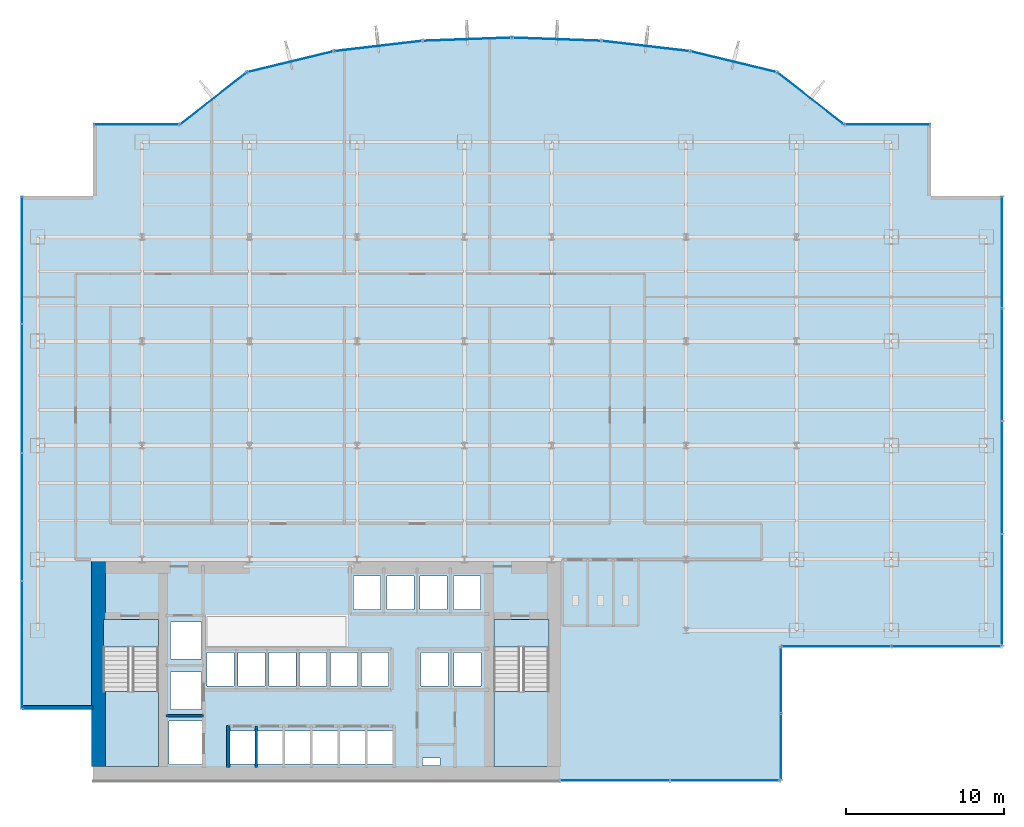
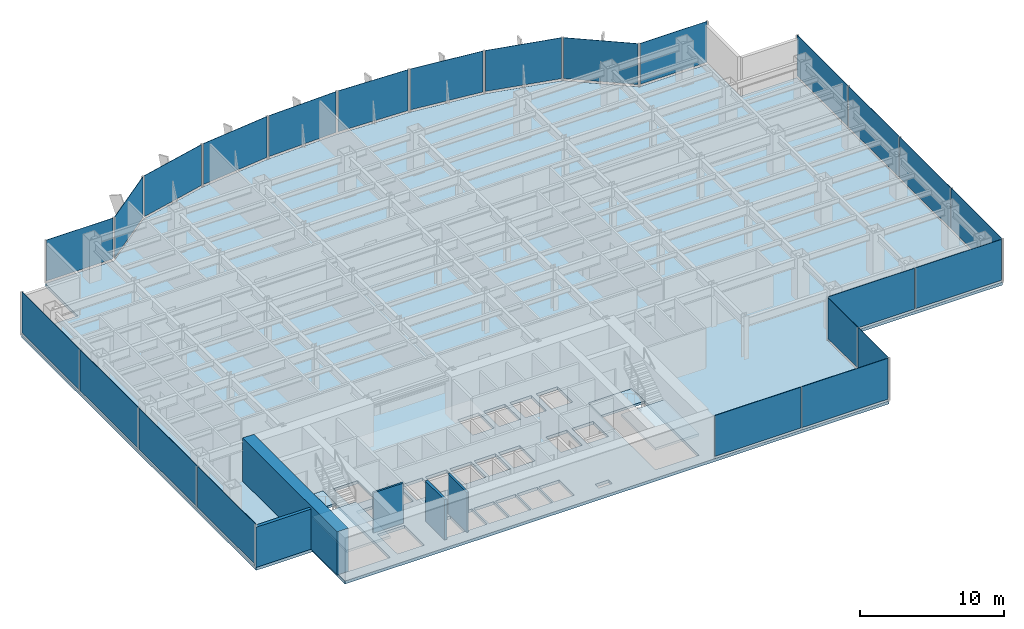
# One storey, part 16 of 22: 24 plates, 5 slabs, 5 walls, 17 elements without a shape of their own.
"""IFC4 building model written with IfcOpenShell, lengths in metres."""

from ifc_helpers import new_model, si_unit, derived_unit, direction, frame, frame_2d, origin, origin_2d, place, context, subcontext, project, spatial, polyline, rectangle, outline, extrude, source, transform, mapped, material, layer, layer_set, type_object, element, aggregate, save


model = new_model("IFC4")

# Units and contexts
model_context = context("Model", 3, precision=1e-05, world=origin(), true_north=direction((0.0, 1.0)))
body_context = subcontext(model_context, "Body", "Model", "MODEL_VIEW")
ifc_project = project(units=[si_unit("LENGTHUNIT", "METRE"), si_unit("AREAUNIT", "SQUARE_METRE"), si_unit("VOLUMEUNIT", "CUBIC_METRE"), si_unit("PLANEANGLEUNIT", "RADIAN"), si_unit("MASSUNIT", "GRAM", prefix="KILO"), derived_unit("THERMALTRANSMITTANCEUNIT", [(si_unit("POWERUNIT", "WATT"), 1), (si_unit("LENGTHUNIT", "METRE"), -2), (si_unit("THERMODYNAMICTEMPERATUREUNIT", "KELVIN"), -1)])], contexts=[model_context])

# Site, building, storey
site_placement = place(None, origin())
site = spatial("IfcSite", under=ifc_project, at=site_placement, CompositionType="ELEMENT")
building_placement = place(site_placement, origin())
building = spatial("IfcBuilding", under=site, at=building_placement, Name="Skarnbrae Concourse Arena and Tower", CompositionType="ELEMENT")
storey_placement = place(building_placement, frame((0.0, 0.0, 65.35009765625)))
storey = spatial("IfcBuildingStorey", under=building, at=storey_placement, Name="L15", CompositionType="ELEMENT", Elevation=65.35009765625)

# Stair, slab
ifc_material_1 = material(Name="Concrete 40 MPa (C40/50)", Category="concrete")
stair_type = type_object("IfcStairType", Name="STAIR-DOGLEG-1650", PredefinedType="HALF_TURN_STAIR", material=ifc_material_1)
stair_1_placement = place(storey_placement, origin())
stair_1 = element("IfcStair", 1, at=stair_1_placement, inside=storey, type_object=stair_type, Name="L15 Protected Exit Stair ST-1", PredefinedType="HALF_TURN_STAIR")
ifc_layer_1 = layer(ifc_material_1, 0.199951171875)
ifc_layer_set_1 = layer_set([ifc_layer_1], Name="Concrete 40 MPa (C40/50)")
slab_type_1 = type_object("IfcSlabType", Name="SLAB-LANDING-200", PredefinedType="LANDING", material=ifc_layer_set_1)
slab_1_placement = place(storey_placement, frame((0.0, 0.0, 1.625)))
slab_1 = element("IfcSlab", 2, at=slab_1_placement, type_object=slab_type_1, Name="ST-1 landing 1", PredefinedType="LANDING", context=body_context, shape_type="SweptSolid", body=[
    extrude(outline(polyline([(5.14990234375, 5.64990234375), (5.14990234375, 0.89990234375), (8.64990234375, 0.89990234375), (8.64990234375, 5.64990234375), (5.14990234375, 5.64990234375)])), origin(), (0.0, 0.0, 1.0), 0.199951171875),
])
aggregate(stair_1, [slab_1])

stair_2_placement = place(storey_placement, origin())
stair_2 = element("IfcStair", 3, at=stair_2_placement, inside=storey, type_object=stair_type, Name="L15 Protected Exit Stair ST-2", PredefinedType="HALF_TURN_STAIR")
slab_2_placement = place(storey_placement, frame((0.0, 0.0, 1.625)))
slab_2 = element("IfcSlab", 4, at=slab_2_placement, type_object=slab_type_1, Name="ST-2 landing 1", PredefinedType="LANDING", context=body_context, shape_type="SweptSolid", body=[
    extrude(outline(polyline([(29.85009765625, 5.64990234375), (29.85009765625, 0.89990234375), (33.35009765625, 0.89990234375), (33.35009765625, 5.64990234375), (29.85009765625, 5.64990234375)])), origin(), (0.0, 0.0, 1.0), 0.199951171875),
])
aggregate(stair_2, [slab_2])

# Slabs
slab_3_placement = place(storey_placement, frame((0.0, 0.0, -0.2001953125)))
element("IfcSlab", 5, at=slab_3_placement, inside=storey, type_object=slab_type_1, Name="L15 Core stair ST1 floor landing", PredefinedType="LANDING", context=body_context, shape_type="SweptSolid", body=[
    extrude(outline(polyline([(5.14990234375, 10.199951171875), (5.14990234375, 8.449951171875), (8.64990234375, 8.449951171875), (8.64990234375, 10.199951171875), (5.14990234375, 10.199951171875)])), origin(), (0.0, 0.0, 1.0), 0.2001953125),
])
slab_4_placement = place(storey_placement, frame((0.0, 0.0, -0.2001953125)))
element("IfcSlab", 6, at=slab_4_placement, inside=storey, type_object=slab_type_1, Name="L15 Core stair ST2 floor landing", PredefinedType="LANDING", context=body_context, shape_type="SweptSolid", body=[
    extrude(outline(polyline([(29.85009765625, 10.199951171875), (29.85009765625, 8.449951171875), (33.35009765625, 8.449951171875), (33.35009765625, 10.199951171875), (29.85009765625, 10.199951171875)])), origin(), (0.0, 0.0, 1.0), 0.2001953125),
])
ifc_layer_2 = layer(ifc_material_1, 0.25)
ifc_layer_set_2 = layer_set([ifc_layer_2], Name="Concrete 40 MPa (C40/50)")
slab_type_2 = type_object("IfcSlabType", Name="SLAB-TOWER-250", PredefinedType="FLOOR", material=ifc_layer_set_2)
slab_5_placement = place(storey_placement, frame((0.0, 0.0, -0.25)))
element("IfcSlab", 7, at=slab_5_placement, inside=storey, type_object=slab_type_2, Name="L15 Structural floor slab", PredefinedType="FLOOR", context=body_context, shape_type="SweptSolid", body=[
    extrude(outline(polyline([(4.5, 0.0), (48.0, 0.0), (48.0, 8.5), (62.0, 8.5), (62.0, 37.0), (57.5, 37.0), (57.5, 41.5), (52.0, 41.5), (47.766357421875, 44.811767578125), (42.2724609375, 46.140380859375), (36.65380859375, 46.796875), (31.0, 47.0), (25.34619140625, 46.796875), (19.7275390625, 46.140380859375), (14.233642578125, 44.811767578125), (10.0, 41.5), (4.5, 41.5), (4.5, 37.0), (0.0, 37.0), (0.0, 4.5), (4.5, 4.5), (4.5, 0.0)]), holes=[polyline([(13.14501953125, 3.155029296875), (14.7548828125, 3.155029296875), (14.7548828125, 1.044921875), (13.14501953125, 1.044921875), (13.14501953125, 3.155029296875)]), polyline([(16.4951171875, 3.155029296875), (16.4951171875, 1.044921875), (14.885009765625, 1.044921875), (14.885009765625, 3.155029296875), (16.4951171875, 3.155029296875)]), polyline([(18.235107421875, 3.155029296875), (18.235107421875, 1.044921875), (16.625, 1.044921875), (16.625, 3.155029296875), (18.235107421875, 3.155029296875)]), polyline([(18.364990234375, 3.155029296875), (19.97509765625, 3.155029296875), (19.97509765625, 1.044921875), (18.364990234375, 1.044921875), (18.364990234375, 3.155029296875)]), polyline([(11.455078125, 3.780029296875), (11.455078125, 1.02001953125), (9.294921875, 1.02001953125), (9.294921875, 3.780029296875), (11.455078125, 3.780029296875)]), polyline([(8.64990234375, 0.89990234375), (5.14990234375, 0.89990234375), (5.14990234375, 10.199951171875), (8.64990234375, 10.199951171875), (8.64990234375, 0.89990234375)]), polyline([(9.39501953125, 6.8798828125), (11.35498046875, 6.8798828125), (11.35498046875, 4.52001953125), (9.39501953125, 4.52001953125), (9.39501953125, 6.8798828125)]), polyline([(13.429931640625, 8.10498046875), (13.429931640625, 5.9951171875), (11.719970703125, 5.9951171875), (11.719970703125, 8.10498046875), (13.429931640625, 8.10498046875)]), polyline([(15.3798828125, 8.10498046875), (15.3798828125, 5.9951171875), (13.669921875, 5.9951171875), (13.669921875, 8.10498046875), (15.3798828125, 8.10498046875)]), polyline([(15.6201171875, 8.10498046875), (17.330078125, 8.10498046875), (17.330078125, 5.9951171875), (15.6201171875, 5.9951171875), (15.6201171875, 8.10498046875)]), polyline([(19.280029296875, 8.10498046875), (19.280029296875, 5.9951171875), (17.570068359375, 5.9951171875), (17.570068359375, 8.10498046875), (19.280029296875, 8.10498046875)]), polyline([(11.35498046875, 10.054931640625), (11.35498046875, 7.695068359375), (9.39501953125, 7.695068359375), (9.39501953125, 10.054931640625), (11.35498046875, 10.054931640625)]), polyline([(25.35009765625, 1.449951171875), (26.43994140625, 1.449951171875), (26.43994140625, 0.949951171875), (25.35009765625, 0.949951171875), (25.35009765625, 1.449951171875)]), polyline([(21.715087890625, 3.155029296875), (21.715087890625, 1.044921875), (20.10498046875, 1.044921875), (20.10498046875, 3.155029296875), (21.715087890625, 3.155029296875)]), polyline([(23.455078125, 3.155029296875), (23.455078125, 1.044921875), (21.844970703125, 1.044921875), (21.844970703125, 3.155029296875), (23.455078125, 3.155029296875)]), polyline([(33.35009765625, 10.199951171875), (33.35009765625, 0.89990234375), (29.85009765625, 0.89990234375), (29.85009765625, 10.199951171875), (33.35009765625, 10.199951171875)]), polyline([(21.22998046875, 8.10498046875), (21.22998046875, 5.9951171875), (19.52001953125, 5.9951171875), (19.52001953125, 8.10498046875), (21.22998046875, 8.10498046875)]), polyline([(23.179931640625, 8.10498046875), (23.179931640625, 5.9951171875), (21.469970703125, 5.9951171875), (21.469970703125, 8.10498046875), (23.179931640625, 8.10498046875)]), polyline([(25.235107421875, 8.10498046875), (26.945068359375, 8.10498046875), (26.945068359375, 5.9951171875), (25.235107421875, 5.9951171875), (25.235107421875, 8.10498046875)]), polyline([(29.044921875, 8.10498046875), (29.044921875, 5.9951171875), (27.3349609375, 5.9951171875), (27.3349609375, 8.10498046875), (29.044921875, 8.10498046875)]), polyline([(22.695068359375, 12.955078125), (22.695068359375, 10.844970703125), (20.985107421875, 10.844970703125), (20.985107421875, 12.955078125), (22.695068359375, 12.955078125)]), polyline([(23.0849609375, 12.955078125), (24.794921875, 12.955078125), (24.794921875, 10.844970703125), (23.0849609375, 10.844970703125), (23.0849609375, 12.955078125)]), polyline([(26.89501953125, 12.955078125), (26.89501953125, 10.844970703125), (25.18505859375, 10.844970703125), (25.18505859375, 12.955078125), (26.89501953125, 12.955078125)]), polyline([(28.9951171875, 12.955078125), (28.9951171875, 10.844970703125), (27.284912109375, 10.844970703125), (27.284912109375, 12.955078125), (28.9951171875, 12.955078125)])]), origin(), (0.0, 0.0, 1.0), 0.25),
])

# Curtain wall, plates
ifc_material_2 = material(Name="Bronze anodised aluminium 6063-T6", Category="aluminium")
curtain_wall_type = type_object("IfcCurtainWallType", Name="CW-SYS-02-LOWZONE", PredefinedType="USERDEFINED", material=ifc_material_2)
curtain_wall_1_placement = place(storey_placement, origin())
curtain_wall_1 = element("IfcCurtainWall", 8, at=curtain_wall_1_placement, inside=storey, type_object=curtain_wall_type, Name="L15 Unitised curtain wall CW-L15-SE-SPINE", ObjectType="UNITISED CURTAIN WALL", PredefinedType="USERDEFINED")
ifc_material_3 = material(Name="Low-E triple insulating glass", Category="glass")
ifc_layer_3 = layer(ifc_material_3, 0.031982421875)
ifc_layer_set_3 = layer_set([ifc_layer_3], Name="Low-E triple insulating glass")
plate_type = type_object("IfcPlateType", Name="CWP-CW-02", PredefinedType="CURTAIN_PANEL", material=ifc_layer_set_3)
shared_shape_1 = source(origin(), body_context, "Body", "SweptSolid", [
    extrude(rectangle(XDim=6.8798828125, YDim=0.031982421875, at=origin_2d()), origin(), (0.0, 0.0, 1.0), 3.4599609375),
])
plate_1_placement = place(storey_placement, frame((37.52001953125, 0.0, 0.18994140625), z_axis=(0.0, 0.0, 1.0), x_axis=(1.0, 0.0, 0.0)))
plate_1 = element("IfcPlate", 9, at=plate_1_placement, type_object=plate_type, Name="CW-L15-SE-SPINE Low-E Glazing Panel 1", PredefinedType="CURTAIN_PANEL", context=body_context, shape_type="MappedRepresentation", body=[
    mapped(shared_shape_1, transform((0.0, 0.0, 0.0))),
])
plate_2_placement = place(storey_placement, frame((44.47998046875, 0.0, 0.18994140625), z_axis=(0.0, 0.0, 1.0), x_axis=(1.0, 0.0, 0.0)))
plate_2 = element("IfcPlate", 10, at=plate_2_placement, type_object=plate_type, Name="CW-L15-SE-SPINE Low-E Glazing Panel 2", PredefinedType="CURTAIN_PANEL", context=body_context, shape_type="MappedRepresentation", body=[
    mapped(shared_shape_1, transform((0.0, 0.0, 0.0))),
])
aggregate(curtain_wall_1, [plate_1, plate_2])

curtain_wall_2_placement = place(storey_placement, origin())
curtain_wall_2 = element("IfcCurtainWall", 11, at=curtain_wall_2_placement, inside=storey, type_object=curtain_wall_type, Name="L15 Unitised curtain wall CW-L15-E03", ObjectType="UNITISED CURTAIN WALL", PredefinedType="USERDEFINED")
plate_3_placement = place(storey_placement, frame((51.52001953125, 8.5, 0.18994140625), z_axis=(0.0, 0.0, 1.0), x_axis=(1.0, 0.0, 0.0)))
plate_3 = element("IfcPlate", 12, at=plate_3_placement, type_object=plate_type, Name="CW-L15-E03 Low-E Glazing Panel 1", PredefinedType="CURTAIN_PANEL", context=body_context, shape_type="MappedRepresentation", body=[
    mapped(shared_shape_1, transform((0.0, 0.0, 0.0))),
])
plate_4_placement = place(storey_placement, frame((58.47998046875, 8.5, 0.18994140625), z_axis=(0.0, 0.0, 1.0), x_axis=(1.0, 0.0, 0.0)))
plate_4 = element("IfcPlate", 13, at=plate_4_placement, type_object=plate_type, Name="CW-L15-E03 Low-E Glazing Panel 2", PredefinedType="CURTAIN_PANEL", context=body_context, shape_type="MappedRepresentation", body=[
    mapped(shared_shape_1, transform((0.0, 0.0, 0.0))),
])
aggregate(curtain_wall_2, [plate_3, plate_4])

curtain_wall_3_placement = place(storey_placement, origin())
curtain_wall_3 = element("IfcCurtainWall", 14, at=curtain_wall_3_placement, inside=storey, type_object=curtain_wall_type, Name="L15 Unitised curtain wall CW-L15-E02", ObjectType="UNITISED CURTAIN WALL", PredefinedType="USERDEFINED")
shared_shape_2 = source(origin(), body_context, "Body", "SweptSolid", [
    extrude(rectangle(XDim=4.1298828125, YDim=0.031982421875, at=origin_2d()), origin(), (0.0, 0.0, 1.0), 3.4599609375),
])
plate_5_placement = place(storey_placement, frame((48.0, 2.14501953125, 0.18994140625), z_axis=(0.0, 0.0, 1.0), x_axis=(0.0, 1.0, 0.0)))
plate_5 = element("IfcPlate", 15, at=plate_5_placement, type_object=plate_type, Name="CW-L15-E02 Low-E Glazing Panel 1", PredefinedType="CURTAIN_PANEL", context=body_context, shape_type="MappedRepresentation", body=[
    mapped(shared_shape_2, transform((0.0, 0.0, 0.0))),
])
plate_6_placement = place(storey_placement, frame((48.0, 6.35498046875, 0.18994140625), z_axis=(0.0, 0.0, 1.0), x_axis=(0.0, 1.0, 0.0)))
plate_6 = element("IfcPlate", 16, at=plate_6_placement, type_object=plate_type, Name="CW-L15-E02 Low-E Glazing Panel 2", PredefinedType="CURTAIN_PANEL", context=body_context, shape_type="MappedRepresentation", body=[
    mapped(shared_shape_2, transform((0.0, 0.0, 0.0))),
])
aggregate(curtain_wall_3, [plate_5, plate_6])

curtain_wall_4_placement = place(storey_placement, origin())
curtain_wall_4 = element("IfcCurtainWall", 17, at=curtain_wall_4_placement, inside=storey, type_object=curtain_wall_type, Name="L15 Unitised curtain wall CW-L15-E04", ObjectType="UNITISED CURTAIN WALL", PredefinedType="USERDEFINED")
shared_shape_3 = source(origin(), body_context, "Body", "SweptSolid", [
    extrude(rectangle(XDim=7.0048828125, YDim=0.031982421875, at=origin_2d()), origin(), (0.0, 0.0, 1.0), 3.4599609375),
])
plate_7_placement = place(storey_placement, frame((62.0, 12.08251953125, 0.18994140625), z_axis=(0.0, 0.0, 1.0), x_axis=(0.0, 1.0, 0.0)))
plate_7 = element("IfcPlate", 18, at=plate_7_placement, type_object=plate_type, Name="CW-L15-E04 Low-E Glazing Panel 1", PredefinedType="CURTAIN_PANEL", context=body_context, shape_type="MappedRepresentation", body=[
    mapped(shared_shape_3, transform((0.0, 0.0, 0.0))),
])
plate_8_placement = place(storey_placement, frame((62.0, 33.41748046875, 0.18994140625), z_axis=(0.0, 0.0, 1.0), x_axis=(0.0, 1.0, 0.0)))
plate_8 = element("IfcPlate", 19, at=plate_8_placement, type_object=plate_type, Name="CW-L15-E04 Low-E Glazing Panel 4", PredefinedType="CURTAIN_PANEL", context=body_context, shape_type="MappedRepresentation", body=[
    mapped(shared_shape_3, transform((0.0, 0.0, 0.0))),
])
shared_shape_4 = source(origin(), body_context, "Body", "SweptSolid", [
    extrude(rectangle(XDim=7.044921875, YDim=0.031982421875, at=origin_2d()), origin(), (0.0, 0.0, 1.0), 3.4599609375),
])
plate_9_placement = place(storey_placement, frame((62.0, 19.1875, 0.18994140625), z_axis=(0.0, 0.0, 1.0), x_axis=(0.0, 1.0, 0.0)))
plate_9 = element("IfcPlate", 20, at=plate_9_placement, type_object=plate_type, Name="CW-L15-E04 Low-E Glazing Panel 2", PredefinedType="CURTAIN_PANEL", context=body_context, shape_type="MappedRepresentation", body=[
    mapped(shared_shape_4, transform((0.0, 0.0, 0.0))),
])
plate_10_placement = place(storey_placement, frame((62.0, 26.3125, 0.18994140625), z_axis=(0.0, 0.0, 1.0), x_axis=(0.0, 1.0, 0.0)))
plate_10 = element("IfcPlate", 21, at=plate_10_placement, type_object=plate_type, Name="CW-L15-E04 Low-E Glazing Panel 3", PredefinedType="CURTAIN_PANEL", context=body_context, shape_type="MappedRepresentation", body=[
    mapped(shared_shape_4, transform((0.0, 0.0, 0.0))),
])
aggregate(curtain_wall_4, [plate_7, plate_9, plate_10, plate_8])

# Curtain wall, plate
curtain_wall_5_placement = place(storey_placement, origin())
curtain_wall_5 = element("IfcCurtainWall", 22, at=curtain_wall_5_placement, inside=storey, type_object=curtain_wall_type, Name="L15 Unitised curtain wall CW-L15-E07", ObjectType="UNITISED CURTAIN WALL", PredefinedType="USERDEFINED")
shared_shape_5 = source(origin(), body_context, "Body", "SweptSolid", [
    extrude(rectangle(XDim=5.340087890625, YDim=0.031982421875, at=origin_2d()), origin(), (0.0, 0.0, 1.0), 3.4599609375),
])
plate_11_placement = place(storey_placement, frame((54.75, 41.5, 0.18994140625), z_axis=(0.0, 0.0, 1.0), x_axis=(-1.0, 0.0, 0.0)))
plate_11 = element("IfcPlate", 23, at=plate_11_placement, type_object=plate_type, Name="CW-L15-E07 Low-E Glazing Panel 1", PredefinedType="CURTAIN_PANEL", context=body_context, shape_type="MappedRepresentation", body=[
    mapped(shared_shape_5, transform((0.0, 0.0, 0.0))),
])
aggregate(curtain_wall_5, [plate_11])

curtain_wall_6_placement = place(storey_placement, origin())
curtain_wall_6 = element("IfcCurtainWall", 24, at=curtain_wall_6_placement, inside=storey, type_object=curtain_wall_type, Name="L15 Unitised curtain wall CW-L15-E16", ObjectType="UNITISED CURTAIN WALL", PredefinedType="USERDEFINED")
plate_12_placement = place(storey_placement, frame((7.25, 41.5, 0.18994140625), z_axis=(0.0, 0.0, 1.0), x_axis=(-1.0, 0.0, 0.0)))
plate_12 = element("IfcPlate", 25, at=plate_12_placement, type_object=plate_type, Name="CW-L15-E16 Low-E Glazing Panel 1", PredefinedType="CURTAIN_PANEL", context=body_context, shape_type="MappedRepresentation", body=[
    mapped(shared_shape_5, transform((0.0, 0.0, 0.0))),
])
aggregate(curtain_wall_6, [plate_12])

curtain_wall_7_placement = place(storey_placement, origin())
curtain_wall_7 = element("IfcCurtainWall", 26, at=curtain_wall_7_placement, inside=storey, type_object=curtain_wall_type, Name="L15 Unitised curtain wall CW-L15-E08", ObjectType="UNITISED CURTAIN WALL", PredefinedType="USERDEFINED")
shared_shape_6 = source(origin(), body_context, "Body", "SweptSolid", [
    extrude(rectangle(XDim=5.215087890625, YDim=0.031982421875, at=origin_2d()), origin(), (0.0, 0.0, 1.0), 3.4599609375),
])
plate_13_placement = place(storey_placement, frame((49.88330078125, 43.156005859375, 0.18994140625), z_axis=(0.0, 0.0, 1.0), x_axis=(-0.787651726054, 0.616120733658, 0.0)))
plate_13 = element("IfcPlate", 27, at=plate_13_placement, type_object=plate_type, Name="CW-L15-E08 Low-E Glazing Panel 1", PredefinedType="CURTAIN_PANEL", context=body_context, shape_type="MappedRepresentation", body=[
    mapped(shared_shape_6, transform((0.0, 0.0, 0.0))),
])
aggregate(curtain_wall_7, [plate_13])

curtain_wall_8_placement = place(storey_placement, origin())
curtain_wall_8 = element("IfcCurtainWall", 28, at=curtain_wall_8_placement, inside=storey, type_object=curtain_wall_type, Name="L15 Unitised curtain wall CW-L15-E15", ObjectType="UNITISED CURTAIN WALL", PredefinedType="USERDEFINED")
plate_14_placement = place(storey_placement, frame((12.11669921875, 43.156005859375, 0.18994140625), z_axis=(0.0, 0.0, 1.0), x_axis=(-0.787651726054, -0.616120733658, 0.0)))
plate_14 = element("IfcPlate", 29, at=plate_14_placement, type_object=plate_type, Name="CW-L15-E15 Low-E Glazing Panel 1", PredefinedType="CURTAIN_PANEL", context=body_context, shape_type="MappedRepresentation", body=[
    mapped(shared_shape_6, transform((0.0, 0.0, 0.0))),
])
aggregate(curtain_wall_8, [plate_14])

curtain_wall_9_placement = place(storey_placement, origin())
curtain_wall_9 = element("IfcCurtainWall", 30, at=curtain_wall_9_placement, inside=storey, type_object=curtain_wall_type, Name="L15 Unitised curtain wall CW-L15-E09", ObjectType="UNITISED CURTAIN WALL", PredefinedType="USERDEFINED")
shared_shape_7 = source(origin(), body_context, "Body", "SweptSolid", [
    extrude(rectangle(XDim=5.4921875, YDim=0.031982421875, at=origin_2d()), origin(), (0.0, 0.0, 1.0), 3.4599609375),
])
plate_15_placement = place(storey_placement, frame((45.019287109375, 45.47607421875, 0.18994140625), z_axis=(0.0, 0.0, 1.0), x_axis=(-0.971973721569, 0.235089524607, 0.0)))
plate_15 = element("IfcPlate", 31, at=plate_15_placement, type_object=plate_type, Name="CW-L15-E09 Low-E Glazing Panel 1", PredefinedType="CURTAIN_PANEL", context=body_context, shape_type="MappedRepresentation", body=[
    mapped(shared_shape_7, transform((0.0, 0.0, 0.0))),
])
aggregate(curtain_wall_9, [plate_15])

curtain_wall_10_placement = place(storey_placement, origin())
curtain_wall_10 = element("IfcCurtainWall", 32, at=curtain_wall_10_placement, inside=storey, type_object=curtain_wall_type, Name="L15 Unitised curtain wall CW-L15-E14", ObjectType="UNITISED CURTAIN WALL", PredefinedType="USERDEFINED")
plate_16_placement = place(storey_placement, frame((16.980712890625, 45.47607421875, 0.18994140625), z_axis=(0.0, 0.0, 1.0), x_axis=(-0.971973721569, -0.235089524607, 0.0)))
plate_16 = element("IfcPlate", 33, at=plate_16_placement, type_object=plate_type, Name="CW-L15-E14 Low-E Glazing Panel 1", PredefinedType="CURTAIN_PANEL", context=body_context, shape_type="MappedRepresentation", body=[
    mapped(shared_shape_7, transform((0.0, 0.0, 0.0))),
])
aggregate(curtain_wall_10, [plate_16])

curtain_wall_11_placement = place(storey_placement, origin())
curtain_wall_11 = element("IfcCurtainWall", 34, at=curtain_wall_11_placement, inside=storey, type_object=curtain_wall_type, Name="L15 Unitised curtain wall CW-L15-E10", ObjectType="UNITISED CURTAIN WALL", PredefinedType="USERDEFINED")
shared_shape_8 = source(origin(), body_context, "Body", "SweptSolid", [
    extrude(rectangle(XDim=5.49658203125, YDim=0.031982421875, at=origin_2d()), origin(), (0.0, 0.0, 1.0), 3.4599609375),
])
plate_17_placement = place(storey_placement, frame((39.463134765625, 46.46875, 0.18994140625), z_axis=(0.0, 0.0, 1.0), x_axis=(-0.99324457001, 0.116039752435, 0.0)))
plate_17 = element("IfcPlate", 35, at=plate_17_placement, type_object=plate_type, Name="CW-L15-E10 Low-E Glazing Panel 1", PredefinedType="CURTAIN_PANEL", context=body_context, shape_type="MappedRepresentation", body=[
    mapped(shared_shape_8, transform((0.0, 0.0, 0.0))),
])
aggregate(curtain_wall_11, [plate_17])

curtain_wall_12_placement = place(storey_placement, origin())
curtain_wall_12 = element("IfcCurtainWall", 36, at=curtain_wall_12_placement, inside=storey, type_object=curtain_wall_type, Name="L15 Unitised curtain wall CW-L15-E13", ObjectType="UNITISED CURTAIN WALL", PredefinedType="USERDEFINED")
plate_18_placement = place(storey_placement, frame((22.536865234375, 46.46875, 0.18994140625), z_axis=(0.0, 0.0, 1.0), x_axis=(-0.99324457001, -0.116039752435, 0.0)))
plate_18 = element("IfcPlate", 37, at=plate_18_placement, type_object=plate_type, Name="CW-L15-E13 Low-E Glazing Panel 1", PredefinedType="CURTAIN_PANEL", context=body_context, shape_type="MappedRepresentation", body=[
    mapped(shared_shape_8, transform((0.0, 0.0, 0.0))),
])
aggregate(curtain_wall_12, [plate_18])

curtain_wall_13_placement = place(storey_placement, origin())
curtain_wall_13 = element("IfcCurtainWall", 38, at=curtain_wall_13_placement, inside=storey, type_object=curtain_wall_type, Name="L15 Unitised curtain wall CW-L15-E11", ObjectType="UNITISED CURTAIN WALL", PredefinedType="USERDEFINED")
shared_shape_9 = source(origin(), body_context, "Body", "SweptSolid", [
    extrude(rectangle(XDim=5.49755859375, YDim=0.031982421875, at=origin_2d()), origin(), (0.0, 0.0, 1.0), 3.4599609375),
])
plate_19_placement = place(storey_placement, frame((33.826904296875, 46.8984375, 0.18994140625), z_axis=(0.0, 0.0, 1.0), x_axis=(-0.999355425188, 0.035898943527, 0.0)))
plate_19 = element("IfcPlate", 39, at=plate_19_placement, type_object=plate_type, Name="CW-L15-E11 Low-E Glazing Panel 1", PredefinedType="CURTAIN_PANEL", context=body_context, shape_type="MappedRepresentation", body=[
    mapped(shared_shape_9, transform((0.0, 0.0, 0.0))),
])
aggregate(curtain_wall_13, [plate_19])

curtain_wall_14_placement = place(storey_placement, origin())
curtain_wall_14 = element("IfcCurtainWall", 40, at=curtain_wall_14_placement, inside=storey, type_object=curtain_wall_type, Name="L15 Unitised curtain wall CW-L15-E12", ObjectType="UNITISED CURTAIN WALL", PredefinedType="USERDEFINED")
plate_20_placement = place(storey_placement, frame((28.173095703125, 46.8984375, 0.18994140625), z_axis=(0.0, 0.0, 1.0), x_axis=(-0.999355425188, -0.035898943527, 0.0)))
plate_20 = element("IfcPlate", 41, at=plate_20_placement, type_object=plate_type, Name="CW-L15-E12 Low-E Glazing Panel 1", PredefinedType="CURTAIN_PANEL", context=body_context, shape_type="MappedRepresentation", body=[
    mapped(shared_shape_9, transform((0.0, 0.0, 0.0))),
])
aggregate(curtain_wall_14, [plate_20])

# Curtain wall, plates
curtain_wall_15_placement = place(storey_placement, origin())
curtain_wall_15 = element("IfcCurtainWall", 42, at=curtain_wall_15_placement, inside=storey, type_object=curtain_wall_type, Name="L15 Unitised curtain wall CW-L15-E19", ObjectType="UNITISED CURTAIN WALL", PredefinedType="USERDEFINED")
shared_shape_10 = source(origin(), body_context, "Body", "SweptSolid", [
    extrude(rectangle(XDim=8.0048828125, YDim=0.031982421875, at=origin_2d()), origin(), (0.0, 0.0, 1.0), 3.4599609375),
])
plate_21_placement = place(storey_placement, frame((0.0, 32.91748046875, 0.18994140625), z_axis=(0.0, 0.0, 1.0), x_axis=(0.0, -1.0, 0.0)))
plate_21 = element("IfcPlate", 43, at=plate_21_placement, type_object=plate_type, Name="CW-L15-E19 Low-E Glazing Panel 1", PredefinedType="CURTAIN_PANEL", context=body_context, shape_type="MappedRepresentation", body=[
    mapped(shared_shape_10, transform((0.0, 0.0, 0.0))),
])
plate_22_placement = place(storey_placement, frame((0.0, 8.58251953125, 0.18994140625), z_axis=(0.0, 0.0, 1.0), x_axis=(0.0, -1.0, 0.0)))
plate_22 = element("IfcPlate", 44, at=plate_22_placement, type_object=plate_type, Name="CW-L15-E19 Low-E Glazing Panel 4", PredefinedType="CURTAIN_PANEL", context=body_context, shape_type="MappedRepresentation", body=[
    mapped(shared_shape_10, transform((0.0, 0.0, 0.0))),
])
shared_shape_11 = source(origin(), body_context, "Body", "SweptSolid", [
    extrude(rectangle(XDim=8.044921875, YDim=0.031982421875, at=origin_2d()), origin(), (0.0, 0.0, 1.0), 3.4599609375),
])
plate_23_placement = place(storey_placement, frame((0.0, 24.8125, 0.18994140625), z_axis=(0.0, 0.0, 1.0), x_axis=(0.0, -1.0, 0.0)))
plate_23 = element("IfcPlate", 45, at=plate_23_placement, type_object=plate_type, Name="CW-L15-E19 Low-E Glazing Panel 2", PredefinedType="CURTAIN_PANEL", context=body_context, shape_type="MappedRepresentation", body=[
    mapped(shared_shape_11, transform((0.0, 0.0, 0.0))),
])
plate_24_placement = place(storey_placement, frame((0.0, 16.6875, 0.18994140625), z_axis=(0.0, 0.0, 1.0), x_axis=(0.0, -1.0, 0.0)))
plate_24 = element("IfcPlate", 46, at=plate_24_placement, type_object=plate_type, Name="CW-L15-E19 Low-E Glazing Panel 3", PredefinedType="CURTAIN_PANEL", context=body_context, shape_type="MappedRepresentation", body=[
    mapped(shared_shape_11, transform((0.0, 0.0, 0.0))),
])
aggregate(curtain_wall_15, [plate_21, plate_23, plate_24, plate_22])

# Walls
ifc_material_4 = material(Name="Concrete 70 MPa (C70/85)", Category="concrete")
ifc_layer_4 = layer(ifc_material_4, 0.89990234375)
ifc_layer_set_4 = layer_set([ifc_layer_4], Name="Concrete 70 MPa (C70/85)")
wall_type_1 = type_object("IfcWallType", Name="WALL-CORE-900-C70", PredefinedType="SHEAR", material=ifc_layer_set_4)
shared_shape_12 = source(origin(), body_context, "Body", "SweptSolid", [
    extrude(rectangle(XDim=13.10009765625, YDim=0.89990234375, at=frame_2d((6.550048828125, 0.0))), origin(), (0.0, 0.0, 1.0), 3.64990234375),
])
wall_1_placement = place(storey_placement, frame((4.85009765625, 0.89990234375, 0.0), z_axis=(0.0, 0.0, 1.0), x_axis=(0.0, 1.0, 0.0)))
element("IfcWall", 47, at=wall_1_placement, inside=storey, type_object=wall_type_1, Name="L15 Rear core shear wall CW-W", PredefinedType="SHEAR", context=body_context, shape_type="MappedRepresentation", body=[
    mapped(shared_shape_12, transform((0.0, 0.0, 0.0))),
])
ifc_material_5 = material(Name="Precast concrete 40 MPa (C40/50)", Category="concrete")
ifc_layer_5 = layer(ifc_material_5, 0.25)
ifc_layer_set_5 = layer_set([ifc_layer_5], Name="Precast concrete 40 MPa (C40/50)")
wall_type_2 = type_object("IfcWallType", Name="WALL-EXT-SPANDREL-250", PredefinedType="STANDARD", material=ifc_layer_set_5)
shared_shape_13 = source(origin(), body_context, "Body", "SweptSolid", [
    extrude(rectangle(XDim=4.5, YDim=0.25, at=frame_2d((2.25, 0.0))), origin(), (0.0, 0.0, 1.0), 3.39990234375),
])
wall_2_placement = place(storey_placement, frame((0.0, 4.625, 0.0), z_axis=(0.0, 0.0, 1.0), x_axis=(1.0, 0.0, 0.0)))
element("IfcWall", 48, at=wall_2_placement, inside=storey, type_object=wall_type_2, Name="L15 Notched corner insulated return wall 20", PredefinedType="STANDARD", context=body_context, shape_type="MappedRepresentation", body=[
    mapped(shared_shape_13, transform((0.0, 0.0, 0.0))),
])
ifc_material_6 = material(Name="Gypsum board on cold-formed steel studs", Category="steel")
ifc_layer_6 = layer(ifc_material_6, 0.14990234375)
ifc_layer_set_6 = layer_set([ifc_layer_6], Name="Gypsum board on cold-formed steel studs")
wall_type_3 = type_object("IfcWallType", Name="WALL-PART-150", PredefinedType="PARTITIONING", material=ifc_layer_set_6)
shared_shape_14 = source(origin(), body_context, "Body", "SweptSolid", [
    extrude(rectangle(XDim=2.39990234375, YDim=0.14990234375, at=frame_2d((1.199951171875, 0.0))), origin(), (0.0, 0.0, 1.0), 3.39990234375),
])
wall_3_placement = place(storey_placement, frame((9.10009765625, 4.10009765625, 0.0), z_axis=(0.0, 0.0, 1.0), x_axis=(1.0, 0.0, 0.0)))
element("IfcWall", 49, at=wall_3_placement, inside=storey, type_object=wall_type_3, Name="L15 Interior partition wall W-L15-FL-D1", PredefinedType="PARTITIONING", context=body_context, shape_type="MappedRepresentation", body=[
    mapped(shared_shape_14, transform((0.0, 0.0, 0.0))),
])
ifc_layer_7 = layer(ifc_material_6, 0.199951171875)
ifc_layer_set_7 = layer_set([ifc_layer_7], Name="Gypsum board on cold-formed steel studs")
wall_type_4 = type_object("IfcWallType", Name="WALL-PART-200-2HR", PredefinedType="PARTITIONING", material=ifc_layer_set_7)
shared_shape_15 = source(origin(), body_context, "Body", "SweptSolid", [
    extrude(rectangle(XDim=2.64990234375, YDim=0.199951171875, at=frame_2d((1.324951171875, 0.0))), origin(), (0.0, 0.0, 1.0), 3.39990234375),
])
wall_4_placement = place(storey_placement, frame((13.050048828125, 0.85009765625, 0.0), z_axis=(0.0, 0.0, 1.0), x_axis=(0.0, 1.0, 0.0)))
element("IfcWall", 50, at=wall_4_placement, inside=storey, type_object=wall_type_4, Name="L15 Interior partition wall W-L15-B1-W", PredefinedType="PARTITIONING", context=body_context, shape_type="MappedRepresentation", body=[
    mapped(shared_shape_15, transform((0.0, 0.0, 0.0))),
])
shared_shape_16 = source(origin(), body_context, "Body", "SweptSolid", [
    extrude(rectangle(XDim=2.599853515625, YDim=0.14990234375, at=frame_2d((1.2998046875, 0.0))), origin(), (0.0, 0.0, 1.0), 3.39990234375),
])
wall_5_placement = place(storey_placement, frame((14.820068359375, 0.85009765625, 0.0), z_axis=(0.0, 0.0, 1.0), x_axis=(0.0, 1.0, 0.0)))
element("IfcWall", 51, at=wall_5_placement, inside=storey, type_object=wall_type_3, Name="L15 Interior partition wall W-L15-B1-P1", PredefinedType="PARTITIONING", context=body_context, shape_type="MappedRepresentation", body=[
    mapped(shared_shape_16, transform((0.0, 0.0, 0.0))),
])

save(model, "model.ifc")
